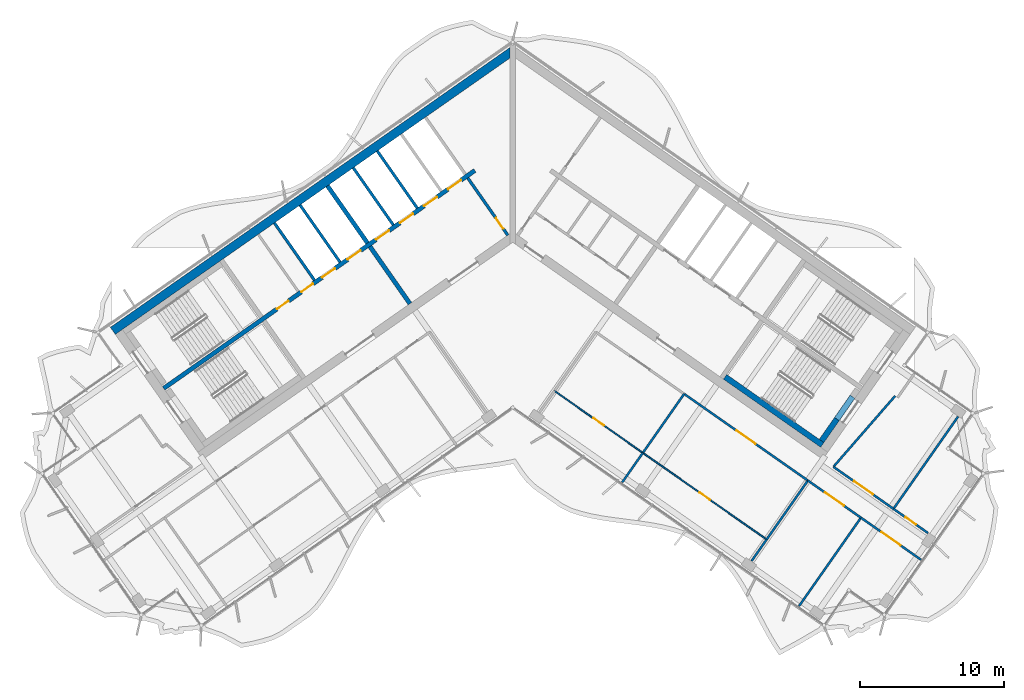
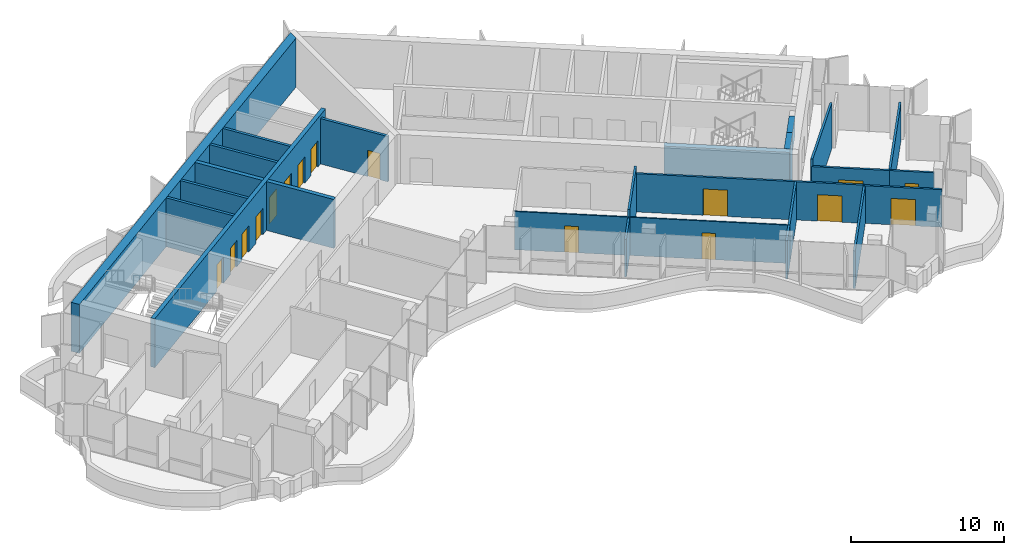
# One storey, part 12 of 20: 26 walls, 16 doors, 16 openings.
"""IFC4 building model written with IfcOpenShell, lengths in metres."""

from ifc_helpers import new_model, si_unit, direction, frame, frame_2d, origin, place, context, subcontext, project, spatial, polyline, rectangle, outline, extrude, material, layer, layer_set, type_object, element, fill, save


model = new_model("IFC4")

# Units and contexts
model_context = context("Model", 3, precision=1e-05, world=origin(), true_north=direction((0.0, 1.0)))
body_context = subcontext(model_context, "Body", "Model", "MODEL_VIEW")
ifc_project = project(units=[si_unit("LENGTHUNIT", "METRE"), si_unit("AREAUNIT", "SQUARE_METRE"), si_unit("VOLUMEUNIT", "CUBIC_METRE"), si_unit("PLANEANGLEUNIT", "RADIAN"), si_unit("MASSUNIT", "GRAM", prefix="KILO")], contexts=[model_context])

# Site, building, storey
site_placement = place(None, origin())
site = spatial("IfcSite", under=ifc_project, at=site_placement, CompositionType="ELEMENT")
building_placement = place(site_placement, origin())
building = spatial("IfcBuilding", under=site, at=building_placement, Name="Tel Ilan Convention Tower", CompositionType="ELEMENT")
storey_placement = place(building_placement, frame((0.0, 0.0, 233.199951171875)))
storey = spatial("IfcBuildingStorey", under=building, at=storey_placement, Name="L54", CompositionType="ELEMENT", Elevation=233.199951171875)

# Wall, opening, door
ifc_material_1 = material(Name="Concrete C30/37", Category="concrete")
ifc_layer_1 = layer(ifc_material_1, 0.199951171875)
ifc_layer_set_1 = layer_set([ifc_layer_1], Name="Core Service Room Wall 200 mm C30/37")
wall_type_1 = type_object("IfcWallType", Name="Core Service Room Wall 200 mm C30/37", PredefinedType="SOLIDWALL", material=ifc_layer_set_1)
wall_1_placement = place(storey_placement, frame((-0.343994140625, -0.729248046875, 0.0), z_axis=(0.0, 0.0, 1.0), x_axis=(-0.573560315113, 0.819163332265, 0.0)))
wall_1 = element("IfcWall", 1, at=wall_1_placement, inside=storey, type_object=wall_type_1, Name="L54 core wall apex-W", PredefinedType="SOLIDWALL", context=body_context, shape_type="SweptSolid", body=[
    extrude(rectangle(XDim=4.849853515625, YDim=0.199951171875, at=frame_2d((2.4248046875, 0.0))), origin(), (0.0, 0.0, 1.0), 3.6201171875),
])
opening_1_placement = place(wall_1_placement, frame((0.550048828125, 0.0, 0.0)))
opening_1 = element("IfcOpeningElement", 2, at=opening_1_placement, cuts=wall_1, Name="Opening CD4202", PredefinedType="OPENING", context=body_context, shape_type="SweptSolid", body=[
    extrude(rectangle(XDim=0.89990234375, YDim=2.10009765625, at=frame_2d((0.449951171875, 1.050048828125))), frame((0.0, 0.10986328125, 0.0), z_axis=(0.0, -1.0, 0.0), x_axis=(1.0, 0.0, 0.0)), (0.0, 0.0, 1.0), 0.219970703125),
])
ifc_material_2 = material(Name="Galvanised Steel Door Leaf", Category="steel")
door_type_1 = type_object("IfcDoorType", Name="Service Room Door 900 x 2100 FD60", OperationType="NOTDEFINED", PredefinedType="DOOR", material=ifc_material_2)
door_1_placement = place(opening_1_placement, origin())
door_1 = element("IfcDoor", 3, at=door_1_placement, inside=storey, type_object=door_type_1, Name="Telecom Room door", OperationType="SINGLE_SWING_RIGHT", OverallHeight=2.10009765625, OverallWidth=0.89990234375, PredefinedType="DOOR", context=body_context, shape_type="SweptSolid", body=[
    extrude(rectangle(XDim=0.89990234375, YDim=2.10009765625, at=frame_2d((0.449951171875, 1.050048828125))), frame((0.0, 0.02490234375, 0.0), z_axis=(0.0, -1.0, 0.0), x_axis=(1.0, 0.0, 0.0)), (0.0, 0.0, 1.0), 0.050048828125),
])
fill(opening_1, door_1)

# Walls
ifc_material_3 = material(Name="Concrete C40/50", Category="concrete")
ifc_layer_2 = layer(ifc_material_3, 0.300048828125)
ifc_layer_set_2 = layer_set([ifc_layer_2], Name="Core Shear Wall 300 mm C40/50")
wall_type_2 = type_object("IfcWallType", Name="Core Shear Wall 300 mm C40/50", PredefinedType="SHEAR", material=ifc_layer_set_2)
wall_2_placement = place(storey_placement, frame((-7.142822265625, -5.48974609375, 0.0), z_axis=(0.0, 0.0, 1.0), x_axis=(-0.573617744349, 0.819123118565, 0.0)))
element("IfcWall", 4, at=wall_2_placement, inside=storey, type_object=wall_type_2, Name="L54 core wall W-cross1-1", PredefinedType="SHEAR", context=body_context, shape_type="SweptSolid", body=[
    extrude(outline(polyline([(4.85009765625, 0.14990234375), (0.0, 0.150146484375), (0.0, -0.14990234375), (4.85009765625, -0.150146484375), (4.85009765625, 0.14990234375)])), origin(), (0.0, 0.0, 1.0), 3.900146484375),
])
wall_3_placement = place(storey_placement, frame((-10.096923828125, -1.271240234375, 0.0), z_axis=(0.0, 0.0, 1.0), x_axis=(-0.573560315113, 0.819163332265, 0.0)))
element("IfcWall", 5, at=wall_3_placement, inside=storey, type_object=wall_type_2, Name="L54 core wall W-cross1-2", PredefinedType="SHEAR", context=body_context, shape_type="SweptSolid", body=[
    extrude(outline(polyline([(4.849853515625, -0.14990234375), (4.849853515625, 0.150146484375), (0.0, 0.14990234375), (0.0, -0.150146484375), (4.849853515625, -0.14990234375)])), origin(), (0.0, 0.0, 1.0), 3.900146484375),
])

# Wall, openings, doors
wall_4_placement = place(storey_placement, frame((-2.638427734375, 3.76806640625, 0.0), z_axis=(0.0, 0.0, 1.0), x_axis=(-0.819155014212, -0.573572194837, 0.0)))
wall_4 = element("IfcWall", 6, at=wall_4_placement, inside=storey, type_object=wall_type_2, Name="L54 core wall W-spine", PredefinedType="SHEAR", context=body_context, shape_type="SweptSolid", body=[
    extrude(outline(polyline([(26.39990234375, 0.150146484375), (0.0, 0.14990234375), (0.0, -0.150146484375), (26.39990234375, -0.14990234375), (26.39990234375, 0.150146484375)])), origin(), (0.0, 0.0, 1.0), 3.900146484375),
])
opening_2_placement = place(wall_4_placement, frame((1.168701171875, 0.0, 0.0)))
opening_2 = element("IfcOpeningElement", 7, at=opening_2_placement, cuts=wall_4, Name="Opening LD4204", PredefinedType="OPENING", context=body_context, shape_type="SweptSolid", body=[
    extrude(rectangle(XDim=1.10009765625, YDim=2.10009765625, at=frame_2d((0.550048828125, 1.050048828125))), frame((0.0, 0.159912109375, 0.0), z_axis=(0.0, -1.0, 0.0), x_axis=(1.0, 0.0, 0.0)), (0.0, 0.0, 1.0), 0.320068359375),
])
opening_3_placement = place(wall_4_placement, frame((3.206298828125, 0.0, 0.0)))
opening_3 = element("IfcOpeningElement", 8, at=opening_3_placement, cuts=wall_4, Name="Opening LD4205", PredefinedType="OPENING", context=body_context, shape_type="SweptSolid", body=[
    extrude(rectangle(XDim=1.10009765625, YDim=2.10009765625, at=frame_2d((0.550048828125, 1.050048828125))), frame((0.0, 0.159912109375, 0.0), z_axis=(0.0, -1.0, 0.0), x_axis=(1.0, 0.0, 0.0)), (0.0, 0.0, 1.0), 0.320068359375),
])
opening_4_placement = place(wall_4_placement, frame((5.24365234375, 0.0, 0.0)))
opening_4 = element("IfcOpeningElement", 9, at=opening_4_placement, cuts=wall_4, Name="Opening LD4206", PredefinedType="OPENING", context=body_context, shape_type="SweptSolid", body=[
    extrude(rectangle(XDim=1.10009765625, YDim=2.10009765625, at=frame_2d((0.550048828125, 1.050048828125))), frame((0.0, 0.159912109375, 0.0), z_axis=(0.0, -1.0, 0.0), x_axis=(1.0, 0.0, 0.0)), (0.0, 0.0, 1.0), 0.320068359375),
])
opening_5_placement = place(wall_4_placement, frame((7.28125, 0.0, 0.0)))
opening_5 = element("IfcOpeningElement", 10, at=opening_5_placement, cuts=wall_4, Name="Opening LD4207", PredefinedType="OPENING", context=body_context, shape_type="SweptSolid", body=[
    extrude(rectangle(XDim=1.10009765625, YDim=2.10009765625, at=frame_2d((0.550048828125, 1.050048828125))), frame((0.0, 0.159912109375, 0.0), z_axis=(0.0, -1.0, 0.0), x_axis=(1.0, 0.0, 0.0)), (0.0, 0.0, 1.0), 0.320068359375),
])
opening_6_placement = place(wall_4_placement, frame((9.6875, 0.0, 0.0)))
opening_6 = element("IfcOpeningElement", 11, at=opening_6_placement, cuts=wall_4, Name="Opening LD4208", PredefinedType="OPENING", context=body_context, shape_type="SweptSolid", body=[
    extrude(rectangle(XDim=1.10009765625, YDim=2.10009765625, at=frame_2d((0.550048828125, 1.050048828125))), frame((0.0, 0.159912109375, 0.0), z_axis=(0.0, -1.0, 0.0), x_axis=(1.0, 0.0, 0.0)), (0.0, 0.0, 1.0), 0.320068359375),
])
opening_7_placement = place(wall_4_placement, frame((11.862548828125, 0.0, 0.0)))
opening_7 = element("IfcOpeningElement", 12, at=opening_7_placement, cuts=wall_4, Name="Opening LD4209", PredefinedType="OPENING", context=body_context, shape_type="SweptSolid", body=[
    extrude(rectangle(XDim=1.10009765625, YDim=2.10009765625, at=frame_2d((0.550048828125, 1.050048828125))), frame((0.0, 0.159912109375, 0.0), z_axis=(0.0, -1.0, 0.0), x_axis=(1.0, 0.0, 0.0)), (0.0, 0.0, 1.0), 0.320068359375),
])
opening_8_placement = place(wall_4_placement, frame((13.722412109375, 0.0, 0.0)))
opening_8 = element("IfcOpeningElement", 13, at=opening_8_placement, cuts=wall_4, Name="Opening CD4209", PredefinedType="OPENING", context=body_context, shape_type="SweptSolid", body=[
    extrude(rectangle(XDim=1.0, YDim=2.10009765625, at=frame_2d((0.5, 1.050048828125))), frame((0.0, 0.159912109375, 0.0), z_axis=(0.0, -1.0, 0.0), x_axis=(1.0, 0.0, 0.0)), (0.0, 0.0, 1.0), 0.320068359375),
])
opening_9_placement = place(wall_4_placement, frame((15.797607421875, 0.0, 0.0)))
opening_9 = element("IfcOpeningElement", 14, at=opening_9_placement, cuts=wall_4, Name="Opening CD4210", PredefinedType="OPENING", context=body_context, shape_type="SweptSolid", body=[
    extrude(rectangle(XDim=1.0, YDim=2.10009765625, at=frame_2d((0.5, 1.050048828125))), frame((0.0, 0.159912109375, 0.0), z_axis=(0.0, -1.0, 0.0), x_axis=(1.0, 0.0, 0.0)), (0.0, 0.0, 1.0), 0.320068359375),
])
ifc_material_4 = material(Name="Stainless Steel Sliding Door Leaf", Category="steel")
door_type_2 = type_object("IfcDoorType", Name="Lift Landing Door 1100 x 2100 FD120", OperationType="NOTDEFINED", PredefinedType="DOOR", material=ifc_material_4)
door_2_placement = place(opening_2_placement, origin())
door_2 = element("IfcDoor", 15, at=door_2_placement, inside=storey, type_object=door_type_2, Name="Lift HR1 landing door", OperationType="SLIDING_TO_LEFT", OverallHeight=2.10009765625, OverallWidth=1.10009765625, PredefinedType="DOOR", context=body_context, shape_type="SweptSolid", body=[
    extrude(rectangle(XDim=1.10009765625, YDim=2.10009765625, at=frame_2d((0.550048828125, 1.050048828125))), frame((0.0, 0.02490234375, 0.0), z_axis=(0.0, -1.0, 0.0), x_axis=(1.0, 0.0, 0.0)), (0.0, 0.0, 1.0), 0.050048828125),
])
fill(opening_2, door_2)
door_3_placement = place(opening_3_placement, origin())
door_3 = element("IfcDoor", 16, at=door_3_placement, inside=storey, type_object=door_type_2, Name="Lift HR2 landing door", OperationType="SLIDING_TO_RIGHT", OverallHeight=2.10009765625, OverallWidth=1.10009765625, PredefinedType="DOOR", context=body_context, shape_type="SweptSolid", body=[
    extrude(rectangle(XDim=1.10009765625, YDim=2.10009765625, at=frame_2d((0.550048828125, 1.050048828125))), frame((0.0, 0.02490234375, 0.0), z_axis=(0.0, -1.0, 0.0), x_axis=(1.0, 0.0, 0.0)), (0.0, 0.0, 1.0), 0.050048828125),
])
fill(opening_3, door_3)
door_4_placement = place(opening_4_placement, origin())
door_4 = element("IfcDoor", 17, at=door_4_placement, inside=storey, type_object=door_type_2, Name="Lift HR3 landing door", OperationType="SLIDING_TO_LEFT", OverallHeight=2.10009765625, OverallWidth=1.10009765625, PredefinedType="DOOR", context=body_context, shape_type="SweptSolid", body=[
    extrude(rectangle(XDim=1.10009765625, YDim=2.10009765625, at=frame_2d((0.550048828125, 1.050048828125))), frame((0.0, 0.02490234375, 0.0), z_axis=(0.0, -1.0, 0.0), x_axis=(1.0, 0.0, 0.0)), (0.0, 0.0, 1.0), 0.050048828125),
])
fill(opening_4, door_4)
door_5_placement = place(opening_5_placement, origin())
door_5 = element("IfcDoor", 18, at=door_5_placement, inside=storey, type_object=door_type_2, Name="Lift HR4 landing door", OperationType="SLIDING_TO_RIGHT", OverallHeight=2.10009765625, OverallWidth=1.10009765625, PredefinedType="DOOR", context=body_context, shape_type="SweptSolid", body=[
    extrude(rectangle(XDim=1.10009765625, YDim=2.10009765625, at=frame_2d((0.550048828125, 1.050048828125))), frame((0.0, 0.02490234375, 0.0), z_axis=(0.0, -1.0, 0.0), x_axis=(1.0, 0.0, 0.0)), (0.0, 0.0, 1.0), 0.050048828125),
])
fill(opening_5, door_5)
door_6_placement = place(opening_6_placement, origin())
door_6 = element("IfcDoor", 19, at=door_6_placement, inside=storey, type_object=door_type_2, Name="Lift HR5 landing door", OperationType="SLIDING_TO_LEFT", OverallHeight=2.10009765625, OverallWidth=1.10009765625, PredefinedType="DOOR", context=body_context, shape_type="SweptSolid", body=[
    extrude(rectangle(XDim=1.10009765625, YDim=2.10009765625, at=frame_2d((0.550048828125, 1.050048828125))), frame((0.0, 0.02490234375, 0.0), z_axis=(0.0, -1.0, 0.0), x_axis=(1.0, 0.0, 0.0)), (0.0, 0.0, 1.0), 0.050048828125),
])
fill(opening_6, door_6)
door_7_placement = place(opening_7_placement, origin())
door_7 = element("IfcDoor", 20, at=door_7_placement, inside=storey, type_object=door_type_2, Name="Lift HR6 landing door", OperationType="SLIDING_TO_RIGHT", OverallHeight=2.10009765625, OverallWidth=1.10009765625, PredefinedType="DOOR", context=body_context, shape_type="SweptSolid", body=[
    extrude(rectangle(XDim=1.10009765625, YDim=2.10009765625, at=frame_2d((0.550048828125, 1.050048828125))), frame((0.0, 0.02490234375, 0.0), z_axis=(0.0, -1.0, 0.0), x_axis=(1.0, 0.0, 0.0)), (0.0, 0.0, 1.0), 0.050048828125),
])
fill(opening_7, door_7)
ifc_material_5 = material(Name="Galvanised Steel Door Leaf", Category="steel")
door_type_3 = type_object("IfcDoorType", Name="Service Room Door 1000 x 2100 FD60", OperationType="NOTDEFINED", PredefinedType="DOOR", material=ifc_material_5)
door_8_placement = place(opening_8_placement, origin())
door_8 = element("IfcDoor", 21, at=door_8_placement, inside=storey, type_object=door_type_3, Name="Plant Room door", OperationType="SINGLE_SWING_RIGHT", OverallHeight=2.10009765625, OverallWidth=1.0, PredefinedType="DOOR", context=body_context, shape_type="SweptSolid", body=[
    extrude(rectangle(XDim=1.0, YDim=2.10009765625, at=frame_2d((0.5, 1.050048828125))), frame((0.0, 0.02490234375, 0.0), z_axis=(0.0, -1.0, 0.0), x_axis=(1.0, 0.0, 0.0)), (0.0, 0.0, 1.0), 0.050048828125),
])
fill(opening_8, door_8)
door_9_placement = place(opening_9_placement, origin())
door_9 = element("IfcDoor", 22, at=door_9_placement, inside=storey, type_object=door_type_3, Name="Plant Room door", OperationType="SINGLE_SWING_RIGHT", OverallHeight=2.10009765625, OverallWidth=1.0, PredefinedType="DOOR", context=body_context, shape_type="SweptSolid", body=[
    extrude(rectangle(XDim=1.0, YDim=2.10009765625, at=frame_2d((0.5, 1.050048828125))), frame((0.0, 0.02490234375, 0.0), z_axis=(0.0, -1.0, 0.0), x_axis=(1.0, 0.0, 0.0)), (0.0, 0.0, 1.0), 0.050048828125),
])
fill(opening_9, door_9)

# Wall
ifc_material_6 = material(Name="Concrete C40/50", Category="concrete")
ifc_layer_3 = layer(ifc_material_6, 0.60009765625)
ifc_layer_set_3 = layer_set([ifc_layer_3], Name="Core Shear Wall 600 mm C40/50")
wall_type_3 = type_object("IfcWallType", Name="Core Shear Wall 600 mm C40/50", PredefinedType="SHEAR", material=ifc_layer_set_3)
wall_5_placement = place(storey_placement, frame((-0.02783203125, 12.066162109375, 0.0), z_axis=(0.0, 0.0, 1.0), x_axis=(-0.819151382952, -0.573577380837, 0.0)))
element("IfcWall", 23, at=wall_5_placement, inside=storey, type_object=wall_type_3, Name="L54 core wall W-back", PredefinedType="SHEAR", context=body_context, shape_type="SweptSolid", body=[
    extrude(outline(polyline([(33.89794921875, 0.300048828125), (0.420166015625, 0.300048828125), (0.0, -0.300048828125), (33.898193359375, -0.300048828125), (33.89794921875, 0.300048828125)])), origin(), (0.0, 0.0, 1.0), 3.900146484375),
])

# Wall, opening, door
ifc_material_7 = material(Name="Plasterboard on Steel Studs", Category="steel")
ifc_layer_4 = layer(ifc_material_7, 0.14990234375)
ifc_layer_set_4 = layer_set([ifc_layer_4], Name="Fire-rated Partition 150 EI 60")
wall_type_4 = type_object("IfcWallType", Name="Fire-rated Partition 150 EI 60", PredefinedType="PARTITIONING", material=ifc_layer_set_4)
wall_6_placement = place(storey_placement, frame((22.283203125, -16.82373046875, 0.0), z_axis=(0.0, 0.0, 1.0), x_axis=(0.819171182807, -0.573549102744, 0.0)))
wall_6 = element("IfcWall", 24, at=wall_6_placement, inside=storey, type_object=wall_type_4, Name="Partition 001", PredefinedType="PARTITIONING", context=body_context, shape_type="SweptSolid", body=[
    extrude(rectangle(XDim=5.09912109375, YDim=0.14990234375, at=frame_2d((2.549560546875, 0.0))), origin(), (0.0, 0.0, 1.0), 3.050048828125),
])
opening_10_placement = place(wall_6_placement, frame((1.74951171875, 0.0, 0.0)))
opening_10 = element("IfcOpeningElement", 25, at=opening_10_placement, cuts=wall_6, Name="Opening L53-015", PredefinedType="OPENING", context=body_context, shape_type="SweptSolid", body=[
    extrude(rectangle(XDim=1.60009765625, YDim=2.10009765625, at=frame_2d((0.800048828125, 1.050048828125))), frame((0.0, 0.0849609375, 0.0), z_axis=(0.0, -1.0, 0.0), x_axis=(1.0, 0.0, 0.0)), (0.0, 0.0, 1.0), 0.169921875),
])
ifc_material_8 = material(Name="Timber Door Leaf in Steel Frame", Category="steel")
door_type_4 = type_object("IfcDoorType", Name="Tenant Suite Entrance Fire Door 1600x2100", OperationType="NOTDEFINED", PredefinedType="DOOR", material=ifc_material_8)
door_10_placement = place(opening_10_placement, origin())
door_10 = element("IfcDoor", 26, at=door_10_placement, inside=storey, type_object=door_type_4, Name="Door L53-015", OperationType="DOUBLE_DOOR_SINGLE_SWING", OverallHeight=2.10009765625, OverallWidth=1.60009765625, PredefinedType="DOOR", context=body_context, shape_type="SweptSolid", body=[
    extrude(rectangle(XDim=1.60009765625, YDim=2.10009765625, at=frame_2d((0.800048828125, 1.050048828125))), frame((0.0, 0.02490234375, 0.0), z_axis=(0.0, -1.0, 0.0), x_axis=(1.0, 0.0, 0.0)), (0.0, 0.0, 1.0), 0.050048828125),
])
fill(opening_10, door_10)

wall_7_placement = place(storey_placement, frame((26.456787109375, -19.74609375, 0.0), z_axis=(0.0, 0.0, 1.0), x_axis=(0.819177150809, -0.573540578855, 0.0)))
wall_7 = element("IfcWall", 27, at=wall_7_placement, inside=storey, type_object=wall_type_4, Name="Partition 002", PredefinedType="PARTITIONING", context=body_context, shape_type="SweptSolid", body=[
    extrude(rectangle(XDim=2.93212890625, YDim=0.14990234375, at=frame_2d((1.466064453125, 0.0))), origin(), (0.0, 0.0, 1.0), 3.050048828125),
])
opening_11_placement = place(wall_7_placement, frame((1.01611328125, 0.0, 0.0)))
opening_11 = element("IfcOpeningElement", 28, at=opening_11_placement, cuts=wall_7, Name="Opening L53-016", PredefinedType="OPENING", context=body_context, shape_type="SweptSolid", body=[
    extrude(rectangle(XDim=0.89990234375, YDim=2.10009765625, at=frame_2d((0.449951171875, 1.050048828125))), frame((0.0, 0.0849609375, 0.0), z_axis=(0.0, -1.0, 0.0), x_axis=(1.0, 0.0, 0.0)), (0.0, 0.0, 1.0), 0.169921875),
])
ifc_material_9 = material(Name="Timber Door Leaf in Steel Frame", Category="steel")
door_type_5 = type_object("IfcDoorType", Name="Room Fire Door 900x2100", OperationType="NOTDEFINED", PredefinedType="DOOR", material=ifc_material_9)
door_11_placement = place(opening_11_placement, origin())
door_11 = element("IfcDoor", 29, at=door_11_placement, inside=storey, type_object=door_type_5, Name="Door L53-016", OperationType="SINGLE_SWING_LEFT", OverallHeight=2.10009765625, OverallWidth=0.89990234375, PredefinedType="DOOR", context=body_context, shape_type="SweptSolid", body=[
    extrude(rectangle(XDim=0.89990234375, YDim=2.10009765625, at=frame_2d((0.449951171875, 1.050048828125))), frame((0.0, 0.02490234375, 0.0), z_axis=(0.0, -1.0, 0.0), x_axis=(1.0, 0.0, 0.0)), (0.0, 0.0, 1.0), 0.050048828125),
])
fill(opening_11, door_11)

wall_8_placement = place(storey_placement, frame((20.5126953125, -17.78125, 0.0), z_axis=(0.0, 0.0, 1.0), x_axis=(-0.819156568366, 0.573569975245, 0.0)))
wall_8 = element("IfcWall", 30, at=wall_8_placement, inside=storey, type_object=wall_type_4, Name="Partition 004", PredefinedType="PARTITIONING", context=body_context, shape_type="SweptSolid", body=[
    extrude(rectangle(XDim=10.50390625, YDim=0.14990234375, at=frame_2d((5.251953125, 0.0))), origin(), (0.0, 0.0, 1.0), 3.050048828125),
])
opening_12_placement = place(wall_8_placement, frame((4.451904296875, 0.0, 0.0)))
opening_12 = element("IfcOpeningElement", 31, at=opening_12_placement, cuts=wall_8, Name="Opening L53-011", PredefinedType="OPENING", context=body_context, shape_type="SweptSolid", body=[
    extrude(rectangle(XDim=1.60009765625, YDim=2.10009765625, at=frame_2d((0.800048828125, 1.050048828125))), frame((0.0, 0.0849609375, 0.0), z_axis=(0.0, -1.0, 0.0), x_axis=(1.0, 0.0, 0.0)), (0.0, 0.0, 1.0), 0.169921875),
])
door_12_placement = place(opening_12_placement, origin())
door_12 = element("IfcDoor", 32, at=door_12_placement, inside=storey, type_object=door_type_4, Name="Door L53-011", OperationType="DOUBLE_DOOR_SINGLE_SWING", OverallHeight=2.10009765625, OverallWidth=1.60009765625, PredefinedType="DOOR", context=body_context, shape_type="SweptSolid", body=[
    extrude(rectangle(XDim=1.60009765625, YDim=2.10009765625, at=frame_2d((0.800048828125, 1.050048828125))), frame((0.0, 0.02490234375, 0.0), z_axis=(0.0, -1.0, 0.0), x_axis=(1.0, 0.0, 0.0)), (0.0, 0.0, 1.0), 0.050048828125),
])
fill(opening_12, door_12)

wall_9_placement = place(storey_placement, frame((24.198974609375, -20.3623046875, 0.0), z_axis=(0.0, 0.0, 1.0), x_axis=(-0.819165703328, 0.573556928727, 0.0)))
wall_9 = element("IfcWall", 33, at=wall_9_placement, inside=storey, type_object=wall_type_4, Name="Partition 005", PredefinedType="PARTITIONING", context=body_context, shape_type="SweptSolid", body=[
    extrude(rectangle(XDim=4.50390625, YDim=0.14990234375, at=frame_2d((2.251953125, 0.0))), origin(), (0.0, 0.0, 1.0), 3.050048828125),
])
opening_13_placement = place(wall_9_placement, frame((1.451904296875, 0.0, 0.0)))
opening_13 = element("IfcOpeningElement", 34, at=opening_13_placement, cuts=wall_9, Name="Opening L53-013", PredefinedType="OPENING", context=body_context, shape_type="SweptSolid", body=[
    extrude(rectangle(XDim=1.60009765625, YDim=2.10009765625, at=frame_2d((0.800048828125, 1.050048828125))), frame((0.0, 0.0849609375, 0.0), z_axis=(0.0, -1.0, 0.0), x_axis=(1.0, 0.0, 0.0)), (0.0, 0.0, 1.0), 0.169921875),
])
door_13_placement = place(opening_13_placement, origin())
door_13 = element("IfcDoor", 35, at=door_13_placement, inside=storey, type_object=door_type_4, Name="Door L53-013", OperationType="DOUBLE_DOOR_SINGLE_SWING", OverallHeight=2.10009765625, OverallWidth=1.60009765625, PredefinedType="DOOR", context=body_context, shape_type="SweptSolid", body=[
    extrude(rectangle(XDim=1.60009765625, YDim=2.10009765625, at=frame_2d((0.800048828125, 1.050048828125))), frame((0.0, 0.02490234375, 0.0), z_axis=(0.0, -1.0, 0.0), x_axis=(1.0, 0.0, 0.0)), (0.0, 0.0, 1.0), 0.050048828125),
])
fill(opening_13, door_13)

wall_10_placement = place(storey_placement, frame((28.375, -23.28662109375, 0.0), z_axis=(0.0, 0.0, 1.0), x_axis=(-0.819132992492, 0.573603644176, 0.0)))
wall_10 = element("IfcWall", 36, at=wall_10_placement, inside=storey, type_object=wall_type_4, Name="Partition 006", PredefinedType="PARTITIONING", context=body_context, shape_type="SweptSolid", body=[
    extrude(rectangle(XDim=5.10205078125, YDim=0.14990234375, at=frame_2d((2.551025390625, 0.0))), origin(), (0.0, 0.0, 1.0), 3.0),
])
opening_14_placement = place(wall_10_placement, frame((1.7509765625, 0.0, 0.0)))
opening_14 = element("IfcOpeningElement", 37, at=opening_14_placement, cuts=wall_10, Name="Opening L53-014", PredefinedType="OPENING", context=body_context, shape_type="SweptSolid", body=[
    extrude(rectangle(XDim=1.60009765625, YDim=2.10009765625, at=frame_2d((0.800048828125, 1.050048828125))), frame((0.0, 0.0849609375, 0.0), z_axis=(0.0, -1.0, 0.0), x_axis=(1.0, 0.0, 0.0)), (0.0, 0.0, 1.0), 0.169921875),
])
door_14_placement = place(opening_14_placement, origin())
door_14 = element("IfcDoor", 38, at=door_14_placement, inside=storey, type_object=door_type_4, Name="Door L53-014", OperationType="DOUBLE_DOOR_SINGLE_SWING", OverallHeight=2.10009765625, OverallWidth=1.60009765625, PredefinedType="DOOR", context=body_context, shape_type="SweptSolid", body=[
    extrude(rectangle(XDim=1.60009765625, YDim=2.10009765625, at=frame_2d((0.800048828125, 1.050048828125))), frame((0.0, 0.02490234375, 0.0), z_axis=(0.0, -1.0, 0.0), x_axis=(1.0, 0.0, 0.0)), (0.0, 0.0, 1.0), 0.050048828125),
])
fill(opening_14, door_14)

# Walls
wall_11_placement = place(storey_placement, frame((30.949462890625, -13.333251953125, 0.0), z_axis=(0.0, 0.0, 1.0), x_axis=(-0.573558601227, -0.819164532288, 0.0)))
element("IfcWall", 39, at=wall_11_placement, inside=storey, type_object=wall_type_4, Name="Partition 013", PredefinedType="PARTITIONING", context=body_context, shape_type="SweptSolid", body=[
    extrude(rectangle(XDim=7.830078125, YDim=0.14990234375, at=frame_2d((3.9150390625, 0.0))), origin(), (0.0, 0.0, 1.0), 3.0),
])
wall_12_placement = place(storey_placement, frame((22.284912109375, -16.82470703125, 0.0), z_axis=(0.0, 0.0, 1.0), x_axis=(0.656781429942, 0.754080999153, 0.0)))
element("IfcWall", 40, at=wall_12_placement, inside=storey, type_object=wall_type_4, Name="Partition 014", PredefinedType="PARTITIONING", context=body_context, shape_type="SweptSolid", body=[
    extrude(rectangle(XDim=6.536376953125, YDim=0.14990234375, at=frame_2d((3.26806640625, 0.0))), origin(), (0.0, 0.0, 1.0), 3.6201171875),
])
wall_13_placement = place(storey_placement, frame((9.04150390625, -15.854248046875, 0.0), z_axis=(0.0, 0.0, 1.0), x_axis=(-0.573560689761, -0.819163069945, 0.0)))
element("IfcWall", 41, at=wall_13_placement, inside=storey, type_object=wall_type_4, Name="Partition 017", PredefinedType="PARTITIONING", context=body_context, shape_type="SweptSolid", body=[
    extrude(rectangle(XDim=2.4990234375, YDim=0.14990234375, at=frame_2d((1.24951171875, 0.0))), origin(), (0.0, 0.0, 1.0), 3.0),
])
wall_14_placement = place(storey_placement, frame((11.909912109375, -11.757568359375, 0.0), z_axis=(0.0, 0.0, 1.0), x_axis=(-0.573563925118, -0.819160804606, 0.0)))
element("IfcWall", 42, at=wall_14_placement, inside=storey, type_object=wall_type_4, Name="Partition 019", PredefinedType="PARTITIONING", context=body_context, shape_type="SweptSolid", body=[
    extrude(rectangle(XDim=5.000244140625, YDim=0.14990234375, at=frame_2d((2.5, 0.0))), origin(), (0.0, 0.0, 1.0), 3.6201171875),
])
wall_15_placement = place(storey_placement, frame((17.642578125, -21.876708984375, 0.0), z_axis=(0.0, 0.0, 1.0), x_axis=(-0.573560882037, -0.819162935317, 0.0)))
element("IfcWall", 43, at=wall_15_placement, inside=storey, type_object=wall_type_4, Name="Partition 022", PredefinedType="PARTITIONING", context=body_context, shape_type="SweptSolid", body=[
    extrude(rectangle(XDim=1.8291015625, YDim=0.14990234375, at=frame_2d((0.91455078125, 0.0))), origin(), (0.0, 0.0, 1.0), 3.050048828125),
])
wall_16_placement = place(storey_placement, frame((20.510986328125, -17.7802734375, 0.0), z_axis=(0.0, 0.0, 1.0), x_axis=(-0.573554101347, -0.819167682973, 0.0)))
element("IfcWall", 44, at=wall_16_placement, inside=storey, type_object=wall_type_4, Name="Partition 023", PredefinedType="PARTITIONING", context=body_context, shape_type="SweptSolid", body=[
    extrude(rectangle(XDim=4.999755859375, YDim=0.14990234375, at=frame_2d((2.5, 0.0))), origin(), (0.0, 0.0, 1.0), 3.050048828125),
])
wall_17_placement = place(storey_placement, frame((24.197265625, -20.361328125, 0.0), z_axis=(0.0, 0.0, 1.0), x_axis=(-0.573575945067, -0.81915238829, 0.0)))
element("IfcWall", 45, at=wall_17_placement, inside=storey, type_object=wall_type_4, Name="Partition 024", PredefinedType="PARTITIONING", context=body_context, shape_type="SweptSolid", body=[
    extrude(rectangle(XDim=7.5, YDim=0.14990234375, at=frame_2d((3.75, 0.0))), origin(), (0.0, 0.0, 1.0), 3.0),
])
ifc_material_10 = material(Name="Concrete C30/37", Category="concrete")
ifc_layer_5 = layer(ifc_material_10, 0.199951171875)
ifc_layer_set_5 = layer_set([ifc_layer_5], Name="Lift Shaft Wall 200 mm C30/37")
wall_type_5 = type_object("IfcWallType", Name="Lift Shaft Wall 200 mm C30/37", PredefinedType="SOLIDWALL", material=ifc_layer_set_5)
wall_18_placement = place(storey_placement, frame((-6.635986328125, 1.152099609375, 0.0), z_axis=(0.0, 0.0, 1.0), x_axis=(-0.573560315113, 0.819163332265, 0.0)))
element("IfcWall", 46, at=wall_18_placement, inside=storey, type_object=wall_type_5, Name="L54 core wall bank-W1-p1", PredefinedType="SOLIDWALL", context=body_context, shape_type="SweptSolid", body=[
    extrude(rectangle(XDim=4.849853515625, YDim=0.199951171875, at=frame_2d((2.4248046875, 0.0))), origin(), (0.0, 0.0, 1.0), 3.900146484375),
])
wall_19_placement = place(storey_placement, frame((-8.304931640625, -0.0166015625, 0.0), z_axis=(0.0, 0.0, 1.0), x_axis=(-0.573594092424, 0.81913968109, 0.0)))
element("IfcWall", 47, at=wall_19_placement, inside=storey, type_object=wall_type_5, Name="L54 core wall bank-W1-p2", PredefinedType="SOLIDWALL", context=body_context, shape_type="SweptSolid", body=[
    extrude(rectangle(XDim=4.85009765625, YDim=0.199951171875, at=frame_2d((2.425048828125, 0.0))), origin(), (0.0, 0.0, 1.0), 3.900146484375),
])
wall_20_placement = place(storey_placement, frame((-12.00146484375, -2.604736328125, 0.0), z_axis=(0.0, 0.0, 1.0), x_axis=(-0.573560315113, 0.819163332265, 0.0)))
element("IfcWall", 48, at=wall_20_placement, inside=storey, type_object=wall_type_5, Name="L54 core wall bank-W2-p0", PredefinedType="SOLIDWALL", context=body_context, shape_type="SweptSolid", body=[
    extrude(rectangle(XDim=4.849853515625, YDim=0.199951171875, at=frame_2d((2.4248046875, 0.0))), origin(), (0.0, 0.0, 1.0), 3.900146484375),
])
wall_21_placement = place(storey_placement, frame((-13.782958984375, -3.852294921875, 0.0), z_axis=(0.0, 0.0, 1.0), x_axis=(-0.573594092424, 0.81913968109, 0.0)))
element("IfcWall", 49, at=wall_21_placement, inside=storey, type_object=wall_type_5, Name="L54 core wall bank-W2-p1", PredefinedType="SOLIDWALL", context=body_context, shape_type="SweptSolid", body=[
    extrude(rectangle(XDim=4.85009765625, YDim=0.199951171875, at=frame_2d((2.425048828125, 0.0))), origin(), (0.0, 0.0, 1.0), 3.900146484375),
])

# Wall, opening, door
ifc_material_11 = material(Name="Plasterboard on Steel Studs", Category="steel")
ifc_layer_6 = layer(ifc_material_11, 0.10009765625)
ifc_layer_set_6 = layer_set([ifc_layer_6], Name="Plasterboard Partition 100")
wall_type_6 = type_object("IfcWallType", Name="Plasterboard Partition 100", PredefinedType="PARTITIONING", material=ifc_layer_set_6)
wall_22_placement = place(storey_placement, frame((9.04150390625, -15.854248046875, 0.0), z_axis=(0.0, 0.0, 1.0), x_axis=(-0.81915238829, 0.573575945067, 0.0)))
wall_22 = element("IfcWall", 50, at=wall_22_placement, inside=storey, type_object=wall_type_6, Name="Partition 016", PredefinedType="PARTITIONING", context=body_context, shape_type="SweptSolid", body=[
    extrude(rectangle(XDim=7.5, YDim=0.10009765625, at=frame_2d((3.75, 0.0))), origin(), (0.0, 0.0, 1.0), 3.050048828125),
])
opening_15_placement = place(wall_22_placement, frame((3.300048828125, 0.0, 0.0)))
opening_15 = element("IfcOpeningElement", 51, at=opening_15_placement, cuts=wall_22, Name="Opening L53-010", PredefinedType="OPENING", context=body_context, shape_type="SweptSolid", body=[
    extrude(rectangle(XDim=0.89990234375, YDim=2.10009765625, at=frame_2d((0.449951171875, 1.050048828125))), frame((0.0, 0.06005859375, 0.0), z_axis=(0.0, -1.0, 0.0), x_axis=(1.0, 0.0, 0.0)), (0.0, 0.0, 1.0), 0.1201171875),
])
ifc_material_12 = material(Name="Timber Door Leaf in Steel Frame", Category="steel")
door_type_6 = type_object("IfcDoorType", Name="Room Timber Door 900x2100", OperationType="NOTDEFINED", PredefinedType="DOOR", material=ifc_material_12)
door_15_placement = place(opening_15_placement, origin())
door_15 = element("IfcDoor", 52, at=door_15_placement, inside=storey, type_object=door_type_6, Name="Door L53-010", OperationType="SINGLE_SWING_RIGHT", OverallHeight=2.10009765625, OverallWidth=0.89990234375, PredefinedType="DOOR", context=body_context, shape_type="SweptSolid", body=[
    extrude(rectangle(XDim=0.89990234375, YDim=2.10009765625, at=frame_2d((0.449951171875, 1.050048828125))), frame((0.0, 0.02490234375, 0.0), z_axis=(0.0, -1.0, 0.0), x_axis=(1.0, 0.0, 0.0)), (0.0, 0.0, 1.0), 0.050048828125),
])
fill(opening_15, door_15)

wall_23_placement = place(storey_placement, frame((17.642578125, -21.876708984375, 0.0), z_axis=(0.0, 0.0, 1.0), x_axis=(-0.819155448096, 0.573571575181, 0.0)))
wall_23 = element("IfcWall", 53, at=wall_23_placement, inside=storey, type_object=wall_type_6, Name="Partition 021", PredefinedType="PARTITIONING", context=body_context, shape_type="SweptSolid", body=[
    extrude(rectangle(XDim=10.5, YDim=0.10009765625, at=frame_2d((5.25, 0.0))), origin(), (0.0, 0.0, 1.0), 3.050048828125),
])
opening_16_placement = place(wall_23_placement, frame((4.800048828125, 0.0, 0.0)))
opening_16 = element("IfcOpeningElement", 54, at=opening_16_placement, cuts=wall_23, Name="Opening L53-012", PredefinedType="OPENING", context=body_context, shape_type="SweptSolid", body=[
    extrude(rectangle(XDim=0.89990234375, YDim=2.10009765625, at=frame_2d((0.449951171875, 1.050048828125))), frame((0.0, 0.06005859375, 0.0), z_axis=(0.0, -1.0, 0.0), x_axis=(1.0, 0.0, 0.0)), (0.0, 0.0, 1.0), 0.1201171875),
])
door_16_placement = place(opening_16_placement, origin())
door_16 = element("IfcDoor", 55, at=door_16_placement, inside=storey, type_object=door_type_6, Name="Door L53-012", OperationType="SINGLE_SWING_LEFT", OverallHeight=2.10009765625, OverallWidth=0.89990234375, PredefinedType="DOOR", context=body_context, shape_type="SweptSolid", body=[
    extrude(rectangle(XDim=0.89990234375, YDim=2.10009765625, at=frame_2d((0.449951171875, 1.050048828125))), frame((0.0, 0.02490234375, 0.0), z_axis=(0.0, -1.0, 0.0), x_axis=(1.0, 0.0, 0.0)), (0.0, 0.0, 1.0), 0.050048828125),
])
fill(opening_16, door_16)

# Walls
ifc_material_13 = material(Name="Concrete C30/37", Category="concrete")
ifc_layer_7 = layer(ifc_material_13, 0.39990234375)
ifc_layer_set_7 = layer_set([ifc_layer_7], Name="Stair and Shaft Lining Wall 400 mm C30/37")
wall_type_7 = type_object("IfcWallType", Name="Stair and Shaft Lining Wall 400 mm C30/37", PredefinedType="SOLIDWALL", material=ifc_layer_set_7)
wall_24_placement = place(storey_placement, frame((14.7529296875, -10.57421875, 0.0), z_axis=(0.0, 0.0, 1.0), x_axis=(0.819158229677, -0.573567602601, 0.0)))
element("IfcWall", 56, at=wall_24_placement, inside=storey, type_object=wall_type_7, Name="L54 core wall lining-S4-t0", PredefinedType="SOLIDWALL", context=body_context, shape_type="SweptSolid", body=[
    extrude(rectangle(XDim=8.25, YDim=0.39990234375, at=frame_2d((4.125, 0.0))), origin(), (0.0, 0.0, 1.0), 3.6201171875),
])
wall_25_placement = place(storey_placement, frame((21.4619140625, -15.027587890625, 0.0), z_axis=(0.0, 0.0, 1.0), x_axis=(0.573559770908, 0.819163713305, 0.0)))
element("IfcWall", 57, at=wall_25_placement, inside=storey, type_object=wall_type_7, Name="L54 core wall lining-S4-u1-0", PredefinedType="SOLIDWALL", context=body_context, shape_type="SweptSolid", body=[
    extrude(rectangle(XDim=1.849853515625, YDim=0.39990234375, at=frame_2d((0.9248046875, 0.0))), origin(), (0.0, 0.0, 1.0), 3.6201171875),
])
wall_26_placement = place(storey_placement, frame((22.52294921875, -13.51220703125, 2.150146484375), z_axis=(0.0, 0.0, 1.0), x_axis=(0.573591692345, 0.819141361715, 0.0)))
element("IfcWall", 58, at=wall_26_placement, inside=storey, type_object=wall_type_7, Name="L54 core wall lining-S4-u1-lintel", PredefinedType="SOLIDWALL", context=body_context, shape_type="SweptSolid", body=[
    extrude(rectangle(XDim=1.900146484375, YDim=0.39990234375, at=frame_2d((0.9501953125, 0.0))), origin(), (0.0, 0.0, 1.0), 1.469970703125),
])

save(model, "model.ifc")
